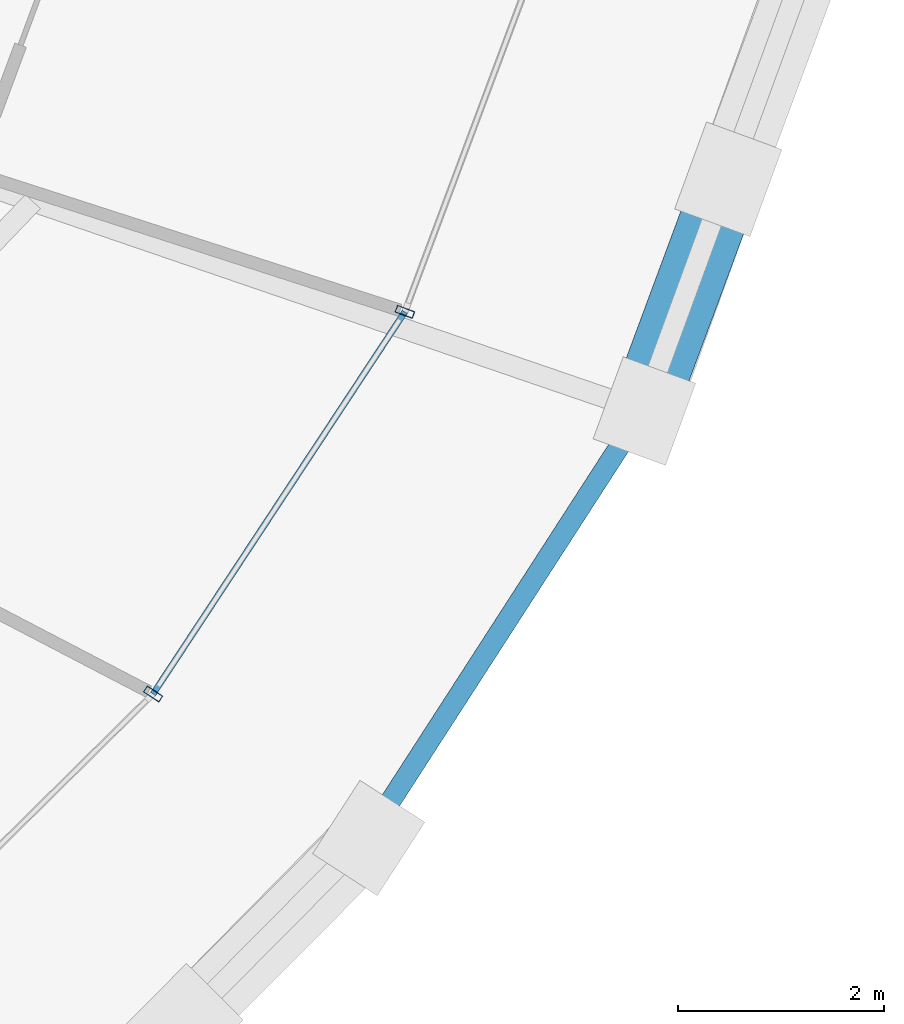
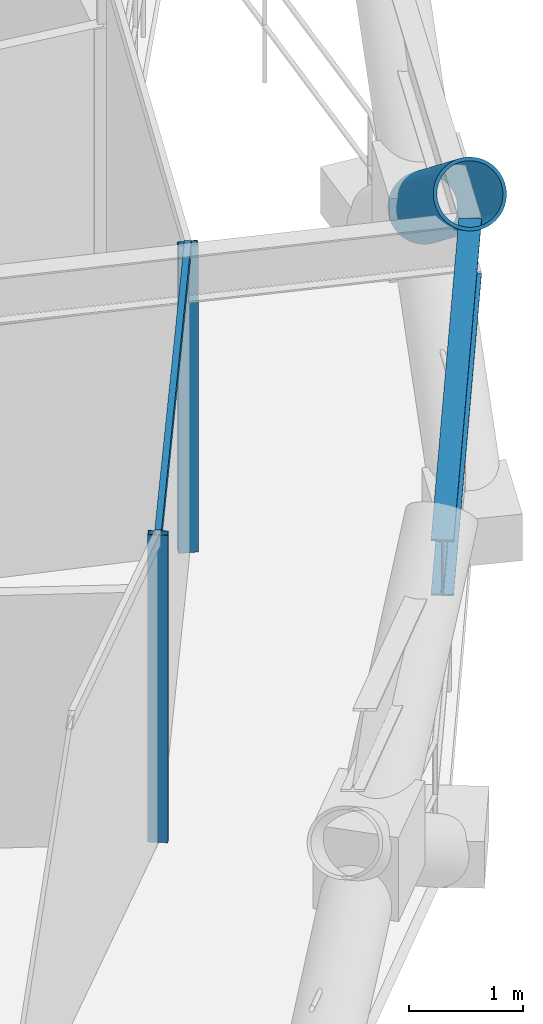
# One storey, part 10 of 22: 4 members, 1 beam, 1 element without a shape of its own.
"""IFC4 building model written with IfcOpenShell, lengths in metres."""

import ifcopenshell
import ifcopenshell.guid

model = None  # the IFC model being written
_history = None  # IfcOwnerHistory: only IFC2X3 demands one
_inside = {}  # id of a spatial element -> (the spatial element, [elements in it])
_under = {}  # id of a project, library or spatial element -> (it, [spatial elements below it])
_declared = {}  # id of a project -> (the project, [libraries it declares])
_typed = {}  # id of a type object -> (the type object, [elements of that type])
_made_of = {}  # id of a material, layer set ... -> (it, [elements and type objects made of it])


def new_model(schema):
    """Start an empty IFC model of exactly this schema.

    Asked for "IFC4X3", IfcOpenShell would pick the latest addendum, in which some entities
    have other attributes; the version numbers below select the first issue.
    IFC2X3 requires an IfcOwnerHistory on every rooted entity: one is made here for all.
    """
    global model, _history
    if schema == "IFC4X3":
        model = ifcopenshell.file(schema_version=(4, 3, 0, 0))
    else:
        model = ifcopenshell.file(schema=schema)
    _inside.clear()
    _under.clear()
    _declared.clear()
    _typed.clear()
    _made_of.clear()
    _history = None
    if model.schema == "IFC2X3":
        org = make("IfcOrganization", Name="unknown")
        user = make(
            "IfcPersonAndOrganization",
            ThePerson=make("IfcPerson", FamilyName="unknown"),
            TheOrganization=org,
        )
        app = make(
            "IfcApplication",
            ApplicationDeveloper=org,
            Version="unknown",
            ApplicationFullName="unknown",
            ApplicationIdentifier="unknown",
        )
        _history = make(
            "IfcOwnerHistory",
            OwningUser=user,
            OwningApplication=app,
            ChangeAction="ADDED",
            CreationDate=0,
        )
    return model


def make(cls, **values):
    """One entity of the class cls with the attributes given. An attribute that is None is left unset."""
    return model.create_entity(
        cls, **{name: value for name, value in values.items() if value is not None}
    )


def rooted(cls, **values):
    """An entity with a GlobalId (a new one), such as an element, a storey or a relation."""
    return make(cls, GlobalId=ifcopenshell.guid.new(), OwnerHistory=_history, **values)


def si_unit(unit_type, name, prefix=None):
    """IfcSIUnit, for example si_unit("LENGTHUNIT", "METRE", prefix="MILLI")."""
    return make("IfcSIUnit", UnitType=unit_type, Prefix=prefix, Name=name)


def assignment(units):
    """IfcUnitAssignment: the units of a project."""
    return None if units is None else make("IfcUnitAssignment", Units=units)


def point(xyz):
    """IfcCartesianPoint."""
    return None if xyz is None else make("IfcCartesianPoint", Coordinates=xyz)


def direction(xyz):
    """IfcDirection."""
    return None if xyz is None else make("IfcDirection", DirectionRatios=xyz)


def frame(location, z_axis=None, x_axis=None):
    """IfcAxis2Placement3D, a coordinate frame: its origin and axes. An axis left out is left unset."""
    return make(
        "IfcAxis2Placement3D",
        Location=point(location),
        Axis=direction(z_axis),
        RefDirection=direction(x_axis),
    )


def frame_2d(location, x_axis=None):
    """IfcAxis2Placement2D, a coordinate frame in the plane: its origin and x axis."""
    return make(
        "IfcAxis2Placement2D", Location=point(location), RefDirection=direction(x_axis)
    )


def origin():
    """The frame at (0, 0, 0) with its axes left unset."""
    return frame((0.0, 0.0, 0.0))


def origin_2d():
    """The frame at (0, 0) in the plane with its x axis left unset."""
    return frame_2d((0.0, 0.0))


def place(relative_to, where):
    """IfcLocalPlacement: puts the frame where relative to a parent placement (None: the world)."""
    return make(
        "IfcLocalPlacement", PlacementRelTo=relative_to, RelativePlacement=where
    )


def context(
    kind, dimensions, precision=None, world=None, true_north=None, identifier=None
):
    """IfcGeometricRepresentationContext, for example the 3D "Model" context."""
    return make(
        "IfcGeometricRepresentationContext",
        ContextIdentifier=identifier,
        ContextType=kind,
        CoordinateSpaceDimension=dimensions,
        Precision=precision,
        WorldCoordinateSystem=world,
        TrueNorth=true_north,
    )


def subcontext(parent, identifier, kind, view, scale=None):
    """IfcGeometricRepresentationSubContext, for example "Body" below "Model"."""
    return make(
        "IfcGeometricRepresentationSubContext",
        ContextIdentifier=identifier,
        ContextType=kind,
        ParentContext=parent,
        TargetScale=scale,
        TargetView=view,
    )


def project(units=None, contexts=None):
    """IfcProject with its units and contexts."""
    return rooted(
        "IfcProject",
        Name="project",
        RepresentationContexts=contexts,
        UnitsInContext=assignment(units),
    )


def spatial(cls, under=None, at=None, **own):
    """A site, building, storey or space (cls), placed at a placement, below another one or the project."""
    s = rooted(cls, ObjectPlacement=at, **own)
    if under is not None:
        _under.setdefault(under.id(), (under, []))[1].append(s)
    return s


def profile(cls, at=None, kind="AREA", **sizes):
    """A parametric profile (cls). Its sizes go by their IFC names, for example OverallWidth=200.0."""
    return make(cls, ProfileType=kind, Position=at, **sizes)


def hollow_rectangle(**sizes):
    """IfcRectangleHollowProfileDef."""
    return profile("IfcRectangleHollowProfileDef", **sizes)


def hollow_circle(**sizes):
    """IfcCircleHollowProfileDef."""
    return profile("IfcCircleHollowProfileDef", **sizes)


def i_section(**sizes):
    """IfcIShapeProfileDef."""
    return profile("IfcIShapeProfileDef", **sizes)


def extrude(swept, where, along, depth):
    """IfcExtrudedAreaSolid: the profile swept, set in the frame where, extruded along a direction by depth."""
    return make(
        "IfcExtrudedAreaSolid",
        SweptArea=swept,
        Position=where,
        ExtrudedDirection=direction(along),
        Depth=depth,
    )


def shape(context_of_items, identifier, shape_type, items):
    """IfcShapeRepresentation: the items that make up one representation, for example the "Body"."""
    return make(
        "IfcShapeRepresentation",
        ContextOfItems=context_of_items,
        RepresentationIdentifier=identifier,
        RepresentationType=shape_type,
        Items=items,
    )


def material(Name=None, Category=None):
    """IfcMaterial."""
    return make("IfcMaterial", Name=Name, Category=Category)


def layer(
    of_material, thickness, ventilated=None, Name=None, Category=None, Priority=None
):
    """IfcMaterialLayer: one layer of a wall or slab, of a material (None: an air gap)."""
    return make(
        "IfcMaterialLayer",
        Material=of_material,
        LayerThickness=thickness,
        IsVentilated=ventilated,
        Name=Name,
        Category=Category,
        Priority=Priority,
    )


def layer_set(layers, Name=None):
    """IfcMaterialLayerSet."""
    return make("IfcMaterialLayerSet", MaterialLayers=layers, LayerSetName=Name)


def material_profile(
    of_material, cross_section, Name=None, Category=None, Priority=None
):
    """IfcMaterialProfile: a cross section and its material."""
    return make(
        "IfcMaterialProfile",
        Name=Name,
        Material=of_material,
        Profile=cross_section,
        Priority=Priority,
        Category=Category,
    )


def profile_set(profiles, Name=None, composite=None):
    """IfcMaterialProfileSet."""
    return make(
        "IfcMaterialProfileSet",
        Name=Name,
        MaterialProfiles=profiles,
        CompositeProfile=composite,
    )


def made_of(thing, what):
    """Note that an element or type object is made of a material, layer set ...; save() writes the relation."""
    if what is not None:
        _made_of.setdefault(what.id(), (what, []))[1].append(thing)
    return thing


def type_object(cls, material=None, **own):
    """A type object (cls), such as IfcWallType, which elements share."""
    return made_of(rooted(cls, **own), material)


def element(
    cls,
    number,
    at=None,
    inside=None,
    cuts=None,
    type_object=None,
    material=None,
    context=None,
    identifier="Body",
    shape_type=None,
    held_by="IfcProductDefinitionShape",
    body=None,
    shapes=None,
    **own,
):
    """One element of the class cls, such as IfcWall. Its Tag is "e" and its number.

    at: its placement. inside: the storey or other place that contains it. cuts: it is an
    opening in that element (IfcRelVoidsElement). A single representation is given by context,
    identifier, shape_type and body (its items); several are given by shapes. held_by: the class
    of the entity that holds the representations. save() writes the other relations.
    """
    e = rooted(cls, Tag="e%d" % number, ObjectPlacement=at, **own)
    if body is not None:
        shapes = [shape(context, identifier, shape_type, body)]
    if shapes is not None:
        e.Representation = make(held_by, Representations=shapes)
    if inside is not None:
        _inside.setdefault(inside.id(), (inside, []))[1].append(e)
    if cuts is not None:
        rooted(
            "IfcRelVoidsElement", RelatingBuildingElement=cuts, RelatedOpeningElement=e
        )
    if type_object is not None:
        _typed.setdefault(type_object.id(), (type_object, []))[1].append(e)
    return made_of(e, material)


def aggregate(whole, parts):
    """IfcRelAggregates: a whole, such as a stair, and the parts it consists of."""
    return rooted("IfcRelAggregates", RelatingObject=whole, RelatedObjects=parts)


def save(model, path):
    """Write the relations noted so far, then the file.

    IfcRelAggregates (storeys below a building ...), IfcRelContainedInSpatialStructure (elements
    in a storey), IfcRelDefinesByType, IfcRelAssociatesMaterial and IfcRelDeclares: one each for
    every whole, place, type object, material and project.
    """
    for whole, parts in _under.values():
        aggregate(whole, parts)
    for where, things in _inside.values():
        rooted(
            "IfcRelContainedInSpatialStructure",
            RelatedElements=things,
            RelatingStructure=where,
        )
    for kind, things in _typed.values():
        rooted("IfcRelDefinesByType", RelatedObjects=things, RelatingType=kind)
    for what, things in _made_of.values():
        rooted("IfcRelAssociatesMaterial", RelatedObjects=things, RelatingMaterial=what)
    for by, libraries in _declared.values():
        rooted("IfcRelDeclares", RelatingContext=by, RelatedDefinitions=libraries)
    model.write(path)


model = new_model("IFC4")

# Units and contexts
model_context = context("Model", 3, precision=1e-05, world=origin(), true_north=direction((0.0, 1.0)))
body_context = subcontext(model_context, "Body", "Model", "MODEL_VIEW")
ifc_project = project(units=[si_unit("LENGTHUNIT", "METRE"), si_unit("AREAUNIT", "SQUARE_METRE"), si_unit("VOLUMEUNIT", "CUBIC_METRE"), si_unit("PLANEANGLEUNIT", "RADIAN"), si_unit("MASSUNIT", "GRAM", prefix="KILO")], contexts=[model_context])

# Site, building, storey
site_placement = place(None, origin())
site = spatial("IfcSite", under=ifc_project, at=site_placement, CompositionType="ELEMENT")
building_placement = place(site_placement, origin())
building = spatial("IfcBuilding", under=site, at=building_placement, Name="Veldorina Hangang Commons", CompositionType="ELEMENT")
storey_placement = place(building_placement, frame((0.0, 0.0, 80.800048828125)))
storey = spatial("IfcBuildingStorey", under=building, at=storey_placement, Name="L20", CompositionType="ELEMENT", Elevation=80.800048828125)

# Beam
ifc_material_1 = material(Name="Steel SM420-TMC", Category="steel")
ifc_material_profile_1 = material_profile(ifc_material_1, i_section(OverallWidth=0.199951171875, OverallDepth=0.60009765625, WebThickness=0.010986328125, FlangeThickness=0.01708984375, FilletRadius=0.01806640625, at=origin_2d()), Name="H-600x200x11x17")
ifc_profile_set_1 = profile_set([ifc_material_profile_1], Name="Steel SM420-TMC")
beam_type = type_object("IfcBeamType", Name="BM-RB600", PredefinedType="BEAM", material=ifc_profile_set_1)
beam_placement = place(storey_placement, frame((56.097900390625, 10.673095703125, 3.0400390625), z_axis=(0.542498531233, 0.840056750232, 0.0), x_axis=(-0.840056750232, 0.542498531233, 0.0)))
element("IfcBeam", 1, at=beam_placement, inside=storey, type_object=beam_type, Name="L20 perimeter hoop ring beam 29", PredefinedType="BEAM", context=body_context, shape_type="SweptSolid", body=[
    extrude(i_section(OverallWidth=0.199951171875, OverallDepth=0.60009765625, WebThickness=0.010986328125, FlangeThickness=0.01708984375, FilletRadius=0.01806640625, at=origin_2d()), origin(), (0.0, 0.0, 1.0), 4.936767578125),
])

# Curtain wall, members
ifc_material_2 = material(Name="Glass Low-E Triple IGU", Category="glass")
ifc_layer = layer(ifc_material_2, 0.179931640625)
ifc_layer_set = layer_set([ifc_layer], Name="Glass Low-E Triple IGU")
curtain_wall_type = type_object("IfcCurtainWallType", Name="CW-SYS-Z1", PredefinedType="NOTDEFINED", material=ifc_layer_set)
curtain_wall_placement = place(storey_placement, origin())
curtain_wall = element("IfcCurtainWall", 2, at=curtain_wall_placement, inside=storey, type_object=curtain_wall_type, Name="L20 unitised curtain wall CW-L20-R2", PredefinedType="NOTDEFINED")
ifc_material_3 = material(Name="Aluminium Anodized AA6063-T6", Category="aluminium")
ifc_material_profile_2 = material_profile(ifc_material_3, hollow_rectangle(XDim=0.070068359375, YDim=0.179931640625, WallThickness=0.00390625, at=origin_2d()), Name="ALU-RHS-180x70x4")
ifc_profile_set_2 = profile_set([ifc_material_profile_2], Name="Aluminium Anodized AA6063-T6")
member_type_1 = type_object("IfcMemberType", Name="CW-MUL-180", PredefinedType="MULLION", material=ifc_profile_set_2)
member_1_placement = place(storey_placement, frame((54.017333984375, 12.06640625, 0.0), z_axis=(0.0, 0.0, 1.0), x_axis=(0.550218437733, 0.835020760687, 0.0)))
member_1 = element("IfcMember", 3, at=member_1_placement, type_object=member_type_1, Name="CW-L20-R2 vertical mullion 3", PredefinedType="MULLION", context=body_context, shape_type="SweptSolid", body=[
    extrude(hollow_rectangle(XDim=0.070068359375, YDim=0.179931640625, WallThickness=0.00390625, at=origin_2d()), origin(), (0.0, 0.0, 1.0), 3.300048828125),
])
member_2_placement = place(storey_placement, frame((56.46435546875, 15.780029296875, 0.0), z_axis=(0.0, 0.0, 1.0), x_axis=(0.350272772461, 0.936647737878, 0.0)))
member_2 = element("IfcMember", 4, at=member_2_placement, type_object=member_type_1, Name="CW-L20-R2 vertical mullion 4", PredefinedType="MULLION", context=body_context, shape_type="SweptSolid", body=[
    extrude(hollow_rectangle(XDim=0.070068359375, YDim=0.179931640625, WallThickness=0.00390625, at=origin_2d()), origin(), (0.0, 0.0, 1.0), 3.300048828125),
])
ifc_material_profile_3 = material_profile(ifc_material_3, hollow_rectangle(XDim=0.06005859375, YDim=0.139892578125, WallThickness=0.00341796875, at=origin_2d()), Name="ALU-RHS-140x60x3.5")
ifc_profile_set_3 = profile_set([ifc_material_profile_3], Name="Aluminium Anodized AA6063-T6")
member_type_2 = type_object("IfcMemberType", Name="CW-TRN-140", PredefinedType="USERDEFINED", material=ifc_profile_set_3)
member_3_placement = place(storey_placement, frame((54.017333984375, 12.06640625, 3.260009765625), z_axis=(0.550220290916, 0.835019539571, 0.0), x_axis=(-0.835019539571, 0.550220290916, 0.0)))
member_3 = element("IfcMember", 5, at=member_3_placement, type_object=member_type_2, Name="CW-L20-R2 facet 4 transom 1", ObjectType="TRANSOM", PredefinedType="USERDEFINED", context=body_context, shape_type="SweptSolid", body=[
    extrude(hollow_rectangle(XDim=0.06005859375, YDim=0.139892578125, WallThickness=0.00341796875, at=origin_2d()), origin(), (0.0, 0.0, 1.0), 4.447265625),
])
aggregate(curtain_wall, [member_1, member_2, member_3])

# Member
ifc_material_4 = material(Name="Steel SM460-TMC", Category="steel")
ifc_material_profile_4 = material_profile(ifc_material_4, hollow_circle(Radius=0.324951171875, WallThickness=0.031982421875, at=origin_2d()), Name="CHS-650x32")
ifc_profile_set_4 = profile_set([ifc_material_profile_4], Name="Steel SM460-TMC")
member_type_3 = type_object("IfcMemberType", Name="DG-CHS650", PredefinedType="BRACE", material=ifc_profile_set_4)
member_4_placement = place(storey_placement, frame((59.607666015625, 17.06884765625, 1.800537109375), z_axis=(-0.27838338514, -0.74979445395, 0.600259083816), x_axis=(0.937470847576, -0.348063801544, 0.0)))
element("IfcMember", 6, at=member_4_placement, inside=storey, type_object=member_type_3, Name="L20 split perimeter diagrid upper brace 31", PredefinedType="BRACE", context=body_context, shape_type="SweptSolid", body=[
    extrude(hollow_circle(Radius=0.324951171875, WallThickness=0.031982421875, at=origin_2d()), origin(), (0.0, 0.0, 1.0), 2.99755859375),
])

save(model, "model.ifc")
